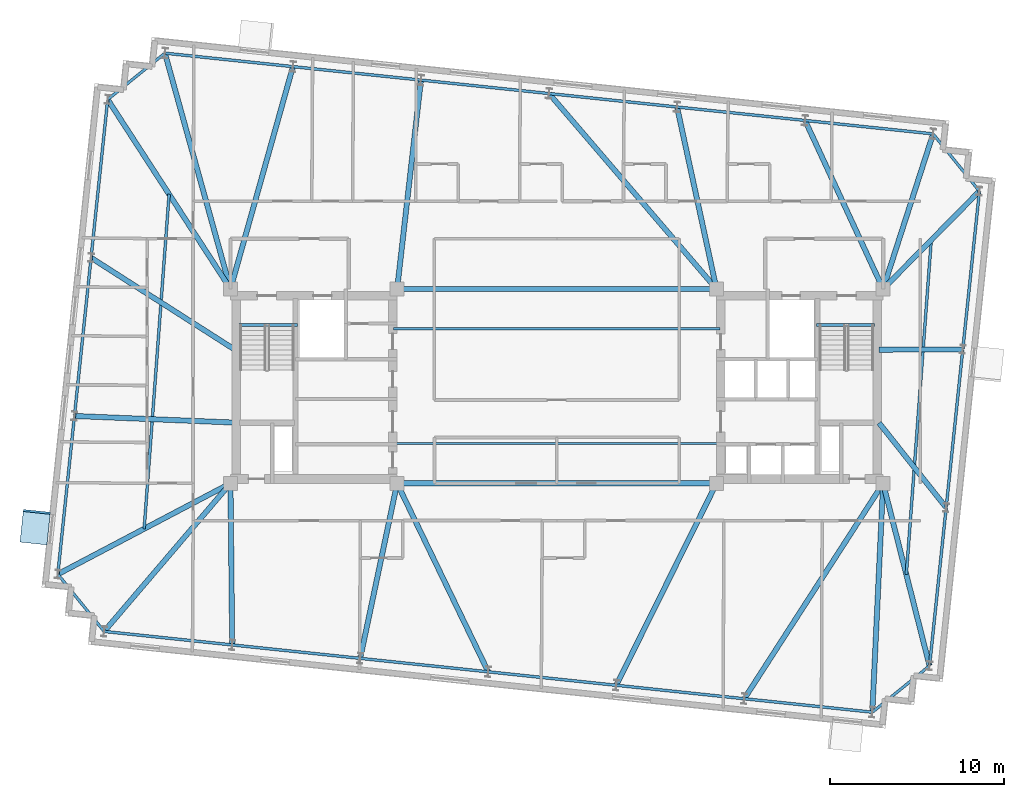
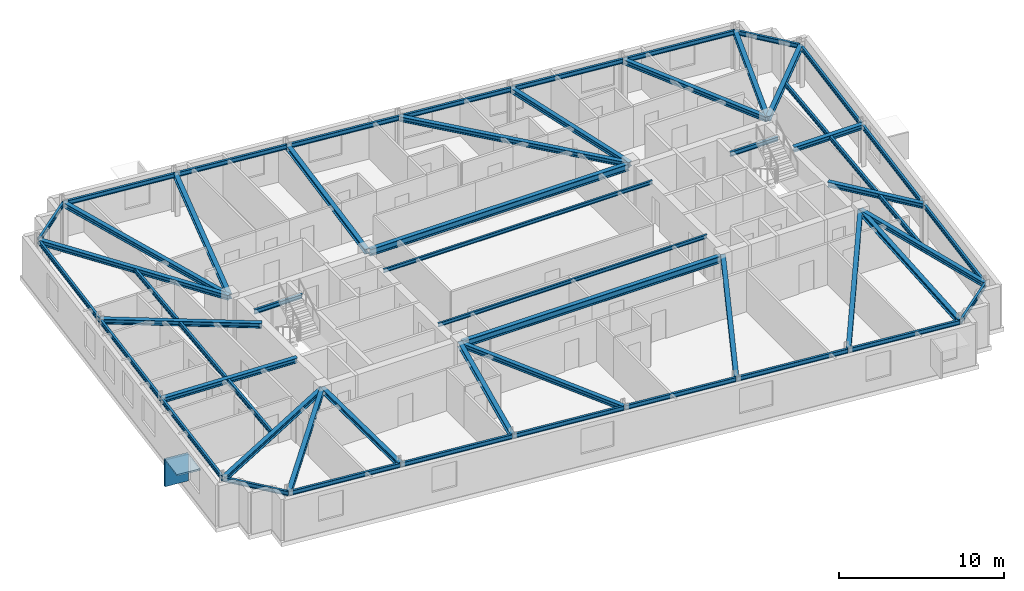
# One storey, part 4 of 12: 52 beams, 2 plates.
"""IFC4 building model written with IfcOpenShell, lengths in metres."""

from ifc_helpers import new_model, si_unit, direction, frame, origin, origin_2d, place, context, subcontext, project, spatial, rectangle, i_section, extrude, material, layer, layer_set, material_profile, profile_set, type_object, element, save


model = new_model("IFC4")

# Units and contexts
model_context = context("Model", 3, precision=1e-05, world=origin(), true_north=direction((0.0, 1.0)))
body_context = subcontext(model_context, "Body", "Model", "MODEL_VIEW")
ifc_project = project(units=[si_unit("LENGTHUNIT", "METRE"), si_unit("AREAUNIT", "SQUARE_METRE"), si_unit("VOLUMEUNIT", "CUBIC_METRE"), si_unit("PLANEANGLEUNIT", "RADIAN"), si_unit("MASSUNIT", "GRAM", prefix="KILO")], contexts=[model_context])

# Site, building, storey
site_placement = place(None, origin())
site = spatial("IfcSite", under=ifc_project, at=site_placement, CompositionType="ELEMENT")
building_placement = place(site_placement, origin())
building = spatial("IfcBuilding", under=site, at=building_placement, Name="Qobustan Lattice House", CompositionType="ELEMENT")
storey_placement = place(building_placement, frame((0.0, 0.0, 189.699951171875)))
storey = spatial("IfcBuildingStorey", under=building, at=storey_placement, Name="L53", CompositionType="ELEMENT", Elevation=189.699951171875)

# Beams
ifc_material_1 = material(Name="Steel S355", Category="steel")
ifc_material_profile_1 = material_profile(ifc_material_1, i_section(OverallWidth=0.300048828125, OverallDepth=0.5, WebThickness=0.014404296875, FlangeThickness=0.028076171875, FilletRadius=0.027099609375, at=origin_2d()), Name="HEB500")
ifc_profile_set_1 = profile_set([ifc_material_profile_1], Name="Steel S355")
beam_type_1 = type_object("IfcBeamType", Name="BM-CG-HEB500", PredefinedType="USERDEFINED", material=ifc_profile_set_1)
for number, where, z_axis, x_axis, name in (
    (1, (-9.050048828125, -5.60009765625, 2.7900390625), (1.0, 0.0, 0.0), (0.0, 1.0, 0.0), "L53 core spine girder CG-CS"),
    (2, (-9.050048828125, 5.60009765625, 2.7900390625), (1.0, 0.0, 0.0), (0.0, 1.0, 0.0), "L53 core spine girder CG-CN"),
):
    element("IfcBeam", number, at=place(storey_placement, frame(where, z_axis=z_axis, x_axis=x_axis)), inside=storey, type_object=beam_type_1, Name=name, ObjectType="GIRDER", PredefinedType="USERDEFINED", context=body_context, shape_type="SweptSolid", body=[
        extrude(i_section(OverallWidth=0.300048828125, OverallDepth=0.5, WebThickness=0.014404296875, FlangeThickness=0.028076171875, FilletRadius=0.027099609375, at=origin_2d()), origin(), (0.0, 0.0, 1.0), 18.10009765625),
    ])
ifc_material_2 = material(Name="Steel S355", Category="steel")
ifc_material_profile_2 = material_profile(ifc_material_2, i_section(OverallWidth=0.300048828125, OverallDepth=0.360107421875, WebThickness=0.012451171875, FlangeThickness=0.0224609375, FilletRadius=0.027099609375, at=origin_2d()), Name="HEB360")
ifc_profile_set_2 = profile_set([ifc_material_profile_2], Name="Steel S355")
beam_type_2 = type_object("IfcBeamType", Name="BM-FLG-HEB360", PredefinedType="USERDEFINED", material=ifc_profile_set_2)
beam_1_placement = place(storey_placement, frame((-26.062744140625, -14.113525390625, 2.860107421875), z_axis=(0.649006911642, 0.760782510736, 0.0), x_axis=(-0.760782510736, 0.649006911642, 0.0)))
element("IfcBeam", 3, at=beam_1_placement, inside=storey, type_object=beam_type_2, Name="L53 primary floor girder RAD-S1W", ObjectType="GIRDER", PredefinedType="USERDEFINED", context=body_context, shape_type="SweptSolid", body=[
    extrude(i_section(OverallWidth=0.300048828125, OverallDepth=0.360107421875, WebThickness=0.012451171875, FlangeThickness=0.0224609375, FilletRadius=0.027099609375, at=origin_2d()), origin(), (0.0, 0.0, 1.0), 11.16552734375),
])
beam_2_placement = place(storey_placement, frame((-18.703125, -14.8828125, 2.860107421875), z_axis=(-0.010442468578, 0.999945475939, 0.0), x_axis=(-0.999945475939, -0.010442468578, 0.0)))
element("IfcBeam", 4, at=beam_2_placement, inside=storey, type_object=beam_type_2, Name="L53 primary floor girder RAD-S2", ObjectType="GIRDER", PredefinedType="USERDEFINED", context=body_context, shape_type="SweptSolid", body=[
    extrude(i_section(OverallWidth=0.300048828125, OverallDepth=0.360107421875, WebThickness=0.012451171875, FlangeThickness=0.0224609375, FilletRadius=0.027099609375, at=origin_2d()), origin(), (0.0, 0.0, 1.0), 9.25830078125),
])
beam_3_placement = place(storey_placement, frame((-11.32177734375, -15.658447265625, 2.860107421875), z_axis=(0.206411213198, 0.978465334627, 0.0), x_axis=(-0.978465334627, 0.206411213198, 0.0)))
element("IfcBeam", 5, at=beam_3_placement, inside=storey, type_object=beam_type_2, Name="L53 primary floor girder RAD-S3", ObjectType="GIRDER", PredefinedType="USERDEFINED", context=body_context, shape_type="SweptSolid", body=[
    extrude(i_section(OverallWidth=0.300048828125, OverallDepth=0.360107421875, WebThickness=0.012451171875, FlangeThickness=0.0224609375, FilletRadius=0.027099609375, at=origin_2d()), origin(), (0.0, 0.0, 1.0), 10.2548828125),
])
beam_4_placement = place(storey_placement, frame((-3.9619140625, -16.435791015625, 2.860107421875), z_axis=(-0.435229353302, 0.900319615483, 0.0), x_axis=(-0.900319615483, -0.435229353302, 0.0)))
element("IfcBeam", 6, at=beam_4_placement, inside=storey, type_object=beam_type_2, Name="L53 primary floor girder RAD-S4", ObjectType="GIRDER", PredefinedType="USERDEFINED", context=body_context, shape_type="SweptSolid", body=[
    extrude(i_section(OverallWidth=0.300048828125, OverallDepth=0.360107421875, WebThickness=0.012451171875, FlangeThickness=0.0224609375, FilletRadius=0.027099609375, at=origin_2d()), origin(), (0.0, 0.0, 1.0), 12.010498046875),
])
beam_5_placement = place(storey_placement, frame((3.436279296875, -17.211181640625, 2.860107421875), z_axis=(0.444630337125, 0.895714163843, 0.0), x_axis=(-0.895714163843, 0.444630337125, 0.0)))
element("IfcBeam", 7, at=beam_5_placement, inside=storey, type_object=beam_type_2, Name="L53 primary floor girder RAD-S5", ObjectType="GIRDER", PredefinedType="USERDEFINED", context=body_context, shape_type="SweptSolid", body=[
    extrude(i_section(OverallWidth=0.300048828125, OverallDepth=0.360107421875, WebThickness=0.012451171875, FlangeThickness=0.0224609375, FilletRadius=0.027099609375, at=origin_2d()), origin(), (0.0, 0.0, 1.0), 12.938232421875),
])
beam_6_placement = place(storey_placement, frame((10.814697265625, -17.98779296875, 2.860107421875), z_axis=(0.541810491961, 0.840500678644, 0.0), x_axis=(-0.840500678644, 0.541810491961, 0.0)))
element("IfcBeam", 8, at=beam_6_placement, inside=storey, type_object=beam_type_2, Name="L53 primary floor girder RAD-S6", ObjectType="GIRDER", PredefinedType="USERDEFINED", context=body_context, shape_type="SweptSolid", body=[
    extrude(i_section(OverallWidth=0.300048828125, OverallDepth=0.360107421875, WebThickness=0.012451171875, FlangeThickness=0.0224609375, FilletRadius=0.027099609375, at=origin_2d()), origin(), (0.0, 0.0, 1.0), 14.71337890625),
])
beam_7_placement = place(storey_placement, frame((18.178466796875, -18.759033203125, 2.860107421875), z_axis=(0.047180517312, 0.998886379318, 0.0), x_axis=(-0.998886379318, 0.047180517312, 0.0)))
element("IfcBeam", 9, at=beam_7_placement, inside=storey, type_object=beam_type_2, Name="L53 primary floor girder RAD-S7E", ObjectType="GIRDER", PredefinedType="USERDEFINED", context=body_context, shape_type="SweptSolid", body=[
    extrude(i_section(OverallWidth=0.300048828125, OverallDepth=0.360107421875, WebThickness=0.012451171875, FlangeThickness=0.0224609375, FilletRadius=0.027099609375, at=origin_2d()), origin(), (0.0, 0.0, 1.0), 13.148681640625),
])
beam_8_placement = place(storey_placement, frame((-22.570556640625, 19.159912109375, 2.860107421875), z_axis=(0.267904661715, -0.963445427739, 0.0), x_axis=(0.963445427739, 0.267904661715, 0.0)))
element("IfcBeam", 10, at=beam_8_placement, inside=storey, type_object=beam_type_2, Name="L53 primary floor girder RAD-N7W", ObjectType="GIRDER", PredefinedType="USERDEFINED", context=body_context, shape_type="SweptSolid", body=[
    extrude(i_section(OverallWidth=0.300048828125, OverallDepth=0.360107421875, WebThickness=0.012451171875, FlangeThickness=0.0224609375, FilletRadius=0.027099609375, at=origin_2d()), origin(), (0.0, 0.0, 1.0), 14.049560546875),
])
beam_9_placement = place(storey_placement, frame((-15.2080078125, 18.384521484375, 2.860107421875), z_axis=(-0.270487929903, -0.962723366174, 0.0), x_axis=(0.962723366174, -0.270487929903, 0.0)))
element("IfcBeam", 11, at=beam_9_placement, inside=storey, type_object=beam_type_2, Name="L53 primary floor girder RAD-N6", ObjectType="GIRDER", PredefinedType="USERDEFINED", context=body_context, shape_type="SweptSolid", body=[
    extrude(i_section(OverallWidth=0.300048828125, OverallDepth=0.360107421875, WebThickness=0.012451171875, FlangeThickness=0.0224609375, FilletRadius=0.027099609375, at=origin_2d()), origin(), (0.0, 0.0, 1.0), 13.254638671875),
])
beam_10_placement = place(storey_placement, frame((-7.827880859375, 17.608642578125, 2.860107421875), z_axis=(-0.11353003651, -0.993534564477, 0.0), x_axis=(0.993534564477, -0.11353003651, 0.0)))
element("IfcBeam", 12, at=beam_10_placement, inside=storey, type_object=beam_type_2, Name="L53 primary floor girder RAD-N5", ObjectType="GIRDER", PredefinedType="USERDEFINED", context=body_context, shape_type="SweptSolid", body=[
    extrude(i_section(OverallWidth=0.300048828125, OverallDepth=0.360107421875, WebThickness=0.012451171875, FlangeThickness=0.0224609375, FilletRadius=0.027099609375, at=origin_2d()), origin(), (0.0, 0.0, 1.0), 12.061767578125),
])
beam_11_placement = place(storey_placement, frame((-0.432861328125, 16.839111328125, 2.860107421875), z_axis=(0.650757358368, -0.759285756833, 0.0), x_axis=(0.759285756833, 0.650757358368, 0.0)))
element("IfcBeam", 13, at=beam_11_placement, inside=storey, type_object=beam_type_2, Name="L53 primary floor girder RAD-N4", ObjectType="GIRDER", PredefinedType="USERDEFINED", context=body_context, shape_type="SweptSolid", body=[
    extrude(i_section(OverallWidth=0.300048828125, OverallDepth=0.360107421875, WebThickness=0.012451171875, FlangeThickness=0.0224609375, FilletRadius=0.027099609375, at=origin_2d()), origin(), (0.0, 0.0, 1.0), 14.77734375),
])
beam_12_placement = place(storey_placement, frame((6.93212890625, 16.05859375, 2.860107421875), z_axis=(0.211908420044, -0.977289527988, 0.0), x_axis=(0.977289527988, 0.211908420044, 0.0)))
element("IfcBeam", 14, at=beam_12_placement, inside=storey, type_object=beam_type_2, Name="L53 primary floor girder RAD-N3", ObjectType="GIRDER", PredefinedType="USERDEFINED", context=body_context, shape_type="SweptSolid", body=[
    extrude(i_section(OverallWidth=0.300048828125, OverallDepth=0.360107421875, WebThickness=0.012451171875, FlangeThickness=0.0224609375, FilletRadius=0.027099609375, at=origin_2d()), origin(), (0.0, 0.0, 1.0), 10.676513671875),
])
beam_13_placement = place(storey_placement, frame((14.3134765625, 15.284912109375, 2.860107421875), z_axis=(0.420345924661, -0.907363931188, 0.0), x_axis=(0.907363931188, 0.420345924661, 0.0)))
element("IfcBeam", 15, at=beam_13_placement, inside=storey, type_object=beam_type_2, Name="L53 primary floor girder RAD-N2", ObjectType="GIRDER", PredefinedType="USERDEFINED", context=body_context, shape_type="SweptSolid", body=[
    extrude(i_section(OverallWidth=0.300048828125, OverallDepth=0.360107421875, WebThickness=0.012451171875, FlangeThickness=0.0224609375, FilletRadius=0.027099609375, at=origin_2d()), origin(), (0.0, 0.0, 1.0), 10.6484375),
])
beam_14_placement = place(storey_placement, frame((21.67138671875, 14.5087890625, 2.860107421875), z_axis=(-0.306773532579, -0.951782538035, 0.0), x_axis=(0.951782538035, -0.306773532579, 0.0)))
element("IfcBeam", 16, at=beam_14_placement, inside=storey, type_object=beam_type_2, Name="L53 primary floor girder RAD-N1E", ObjectType="GIRDER", PredefinedType="USERDEFINED", context=body_context, shape_type="SweptSolid", body=[
    extrude(i_section(OverallWidth=0.300048828125, OverallDepth=0.360107421875, WebThickness=0.012451171875, FlangeThickness=0.0224609375, FilletRadius=0.027099609375, at=origin_2d()), origin(), (0.0, 0.0, 1.0), 9.335205078125),
])
beam_15_placement = place(storey_placement, frame((-25.86083984375, 16.492919921875, 2.860107421875), z_axis=(0.543926170046, -0.839133077371, 0.0), x_axis=(0.839133077371, 0.543926170046, 0.0)))
element("IfcBeam", 17, at=beam_15_placement, inside=storey, type_object=beam_type_2, Name="L53 primary floor girder RAD-W1", ObjectType="GIRDER", PredefinedType="USERDEFINED", context=body_context, shape_type="SweptSolid", body=[
    extrude(i_section(OverallWidth=0.300048828125, OverallDepth=0.360107421875, WebThickness=0.012451171875, FlangeThickness=0.0224609375, FilletRadius=0.027099609375, at=origin_2d()), origin(), (0.0, 0.0, 1.0), 12.9560546875),
])
beam_16_placement = place(storey_placement, frame((-26.8115234375, 7.384033203125, 2.860107421875), z_axis=(0.842429105495, -0.538807203195, 0.0), x_axis=(0.538807203195, 0.842429105495, 0.0)))
element("IfcBeam", 18, at=beam_16_placement, inside=storey, type_object=beam_type_2, Name="L53 primary floor girder RAD-W2", ObjectType="GIRDER", PredefinedType="USERDEFINED", context=body_context, shape_type="SweptSolid", body=[
    extrude(i_section(OverallWidth=0.300048828125, OverallDepth=0.360107421875, WebThickness=0.012451171875, FlangeThickness=0.0224609375, FilletRadius=0.027099609375, at=origin_2d()), origin(), (0.0, 0.0, 1.0), 9.78173828125),
])
beam_17_placement = place(storey_placement, frame((-27.765869140625, -1.719970703125, 2.860107421875), z_axis=(0.999150190925, -0.041217665795, 0.0), x_axis=(0.041217665795, 0.999150190925, 0.0)))
element("IfcBeam", 19, at=beam_17_placement, inside=storey, type_object=beam_type_2, Name="L53 primary floor girder RAD-W3", ObjectType="GIRDER", PredefinedType="USERDEFINED", context=body_context, shape_type="SweptSolid", body=[
    extrude(i_section(OverallWidth=0.300048828125, OverallDepth=0.360107421875, WebThickness=0.012451171875, FlangeThickness=0.0224609375, FilletRadius=0.027099609375, at=origin_2d()), origin(), (0.0, 0.0, 1.0), 9.19873046875),
])
beam_18_placement = place(storey_placement, frame((-28.726806640625, -10.82373046875, 2.860107421875), z_axis=(0.884950868639, 0.465684399669, 0.0), x_axis=(-0.465684399669, 0.884950868639, 0.0)))
element("IfcBeam", 20, at=beam_18_placement, inside=storey, type_object=beam_type_2, Name="L53 primary floor girder RAD-W4", ObjectType="GIRDER", PredefinedType="USERDEFINED", context=body_context, shape_type="SweptSolid", body=[
    extrude(i_section(OverallWidth=0.300048828125, OverallDepth=0.360107421875, WebThickness=0.012451171875, FlangeThickness=0.0224609375, FilletRadius=0.027099609375, at=origin_2d()), origin(), (0.0, 0.0, 1.0), 11.1923828125),
])
beam_19_placement = place(storey_placement, frame((24.331298828125, 11.217529296875, 2.860107421875), z_axis=(-0.701633616284, -0.712537906712, 0.0), x_axis=(0.712537906712, -0.701633616284, 0.0)))
element("IfcBeam", 21, at=beam_19_placement, inside=storey, type_object=beam_type_2, Name="L53 primary floor girder RAD-E4", ObjectType="GIRDER", PredefinedType="USERDEFINED", context=body_context, shape_type="SweptSolid", body=[
    extrude(i_section(OverallWidth=0.300048828125, OverallDepth=0.360107421875, WebThickness=0.012451171875, FlangeThickness=0.0224609375, FilletRadius=0.027099609375, at=origin_2d()), origin(), (0.0, 0.0, 1.0), 7.858642578125),
])
beam_20_placement = place(storey_placement, frame((23.36572265625, 2.118896484375, 2.860107421875), z_axis=(-0.999992301331, -0.003923936564, 0.0), x_axis=(0.003923936564, -0.999992301331, 0.0)))
element("IfcBeam", 22, at=beam_20_placement, inside=storey, type_object=beam_type_2, Name="L53 primary floor girder RAD-E3", ObjectType="GIRDER", PredefinedType="USERDEFINED", context=body_context, shape_type="SweptSolid", body=[
    extrude(i_section(OverallWidth=0.300048828125, OverallDepth=0.360107421875, WebThickness=0.012451171875, FlangeThickness=0.0224609375, FilletRadius=0.027099609375, at=origin_2d()), origin(), (0.0, 0.0, 1.0), 4.790771484375),
])
beam_21_placement = place(storey_placement, frame((22.4169921875, -6.97802734375, 2.860107421875), z_axis=(-0.621231320857, 0.783627236629, 0.0), x_axis=(-0.783627236629, -0.621231320857, 0.0)))
element("IfcBeam", 23, at=beam_21_placement, inside=storey, type_object=beam_type_2, Name="L53 primary floor girder RAD-E2", ObjectType="GIRDER", PredefinedType="USERDEFINED", context=body_context, shape_type="SweptSolid", body=[
    extrude(i_section(OverallWidth=0.300048828125, OverallDepth=0.360107421875, WebThickness=0.012451171875, FlangeThickness=0.0224609375, FilletRadius=0.027099609375, at=origin_2d()), origin(), (0.0, 0.0, 1.0), 6.199951171875),
])
beam_22_placement = place(storey_placement, frame((21.46826171875, -16.08984375, 2.860107421875), z_axis=(-0.246517911643, 0.969138235361, 0.0), x_axis=(-0.969138235361, -0.246517911643, 0.0)))
element("IfcBeam", 24, at=beam_22_placement, inside=storey, type_object=beam_type_2, Name="L53 primary floor girder RAD-E1", ObjectType="GIRDER", PredefinedType="USERDEFINED", context=body_context, shape_type="SweptSolid", body=[
    extrude(i_section(OverallWidth=0.300048828125, OverallDepth=0.360107421875, WebThickness=0.012451171875, FlangeThickness=0.0224609375, FilletRadius=0.027099609375, at=origin_2d()), origin(), (0.0, 0.0, 1.0), 10.798828125),
])
ifc_material_3 = material(Name="Steel S355", Category="steel")
ifc_material_profile_3 = material_profile(ifc_material_3, i_section(OverallWidth=0.135009765625, OverallDepth=0.27001953125, WebThickness=0.006591796875, FlangeThickness=0.01025390625, FilletRadius=0.014892578125, at=origin_2d()), Name="IPE270")
ifc_profile_set_3 = profile_set([ifc_material_profile_3], Name="Steel S355")
beam_type_3 = type_object("IfcBeamType", Name="BM-JST-IPE270", PredefinedType="JOIST", material=ifc_profile_set_3)
for number, where, z_axis, x_axis, name in (
    (25, (-9.39990234375, -3.300048828125, 2.905029296875), (1.0, 0.0, 0.0), (0.0, 1.0, 0.0), "L53 central span floor joist 1"),
    (26, (-9.39990234375, 3.300048828125, 2.905029296875), (1.0, 0.0, 0.0), (0.0, 1.0, 0.0), "L53 central span floor joist 2"),
):
    element("IfcBeam", number, at=place(storey_placement, frame(where, z_axis=z_axis, x_axis=x_axis)), inside=storey, type_object=beam_type_3, Name=name, PredefinedType="JOIST", context=body_context, shape_type="SweptSolid", body=[
        extrude(i_section(OverallWidth=0.135009765625, OverallDepth=0.27001953125, WebThickness=0.006591796875, FlangeThickness=0.01025390625, FilletRadius=0.014892578125, at=origin_2d()), origin(), (0.0, 0.0, 1.0), 18.7998046875),
    ])
ifc_material_4 = material(Name="Steel S355", Category="steel")
ifc_material_profile_4 = material_profile(ifc_material_4, i_section(OverallWidth=0.159912109375, OverallDepth=0.330078125, WebThickness=0.007568359375, FlangeThickness=0.011474609375, FilletRadius=0.01806640625, at=origin_2d()), Name="IPE330")
ifc_profile_set_4 = profile_set([ifc_material_profile_4], Name="Steel S355")
beam_type_4 = type_object("IfcBeamType", Name="BM-SEC-IPE330", PredefinedType="BEAM", material=ifc_profile_set_4)
beam_23_placement = place(storey_placement, frame((-22.337158203125, 11.056884765625, 2.875), z_axis=(-0.074361616657, -0.997231342251, 0.0), x_axis=(0.997231342251, -0.074361616657, 0.0)))
element("IfcBeam", 27, at=beam_23_placement, inside=storey, type_object=beam_type_4, Name="L53 west wing secondary beam", PredefinedType="BEAM", context=body_context, shape_type="SweptSolid", body=[
    extrude(i_section(OverallWidth=0.159912109375, OverallDepth=0.330078125, WebThickness=0.007568359375, FlangeThickness=0.011474609375, FilletRadius=0.01806640625, at=origin_2d()), origin(), (0.0, 0.0, 1.0), 19.327880859375),
])
beam_24_placement = place(storey_placement, frame((21.574462890625, 8.417724609375, 2.875), z_axis=(-0.074360679971, -0.997231412098, 0.0), x_axis=(0.997231412098, -0.074360679971, 0.0)))
element("IfcBeam", 28, at=beam_24_placement, inside=storey, type_object=beam_type_4, Name="L53 east wing secondary beam", PredefinedType="BEAM", context=body_context, shape_type="SweptSolid", body=[
    extrude(i_section(OverallWidth=0.159912109375, OverallDepth=0.330078125, WebThickness=0.007568359375, FlangeThickness=0.011474609375, FilletRadius=0.01806640625, at=origin_2d()), origin(), (0.0, 0.0, 1.0), 19.328125),
])
ifc_material_5 = material(Name="Steel S355", Category="steel")
ifc_material_profile_5 = material_profile(ifc_material_5, i_section(OverallWidth=0.159912109375, OverallDepth=0.330078125, WebThickness=0.007568359375, FlangeThickness=0.011474609375, FilletRadius=0.01806640625, at=origin_2d()), Name="IPE330")
ifc_profile_set_5 = profile_set([ifc_material_profile_5], Name="Steel S355")
beam_type_5 = type_object("IfcBeamType", Name="BM-SPD-IPE330", PredefinedType="SPANDREL", material=ifc_profile_set_5)
for number, where, z_axis, x_axis, name in (
    (29, (-18.300048828125, 3.52001953125, 2.875), (1.0, 0.0, 0.0), (0.0, 1.0, 0.0), "L53 west stair landing trimmer beam"),
    (30, (14.949951171875, 3.52001953125, 2.875), (1.0, 0.0, 0.0), (0.0, 1.0, 0.0), "L53 east stair landing trimmer beam"),
):
    element("IfcBeam", number, at=place(storey_placement, frame(where, z_axis=z_axis, x_axis=x_axis)), inside=storey, type_object=beam_type_5, Name=name, PredefinedType="SPANDREL", context=body_context, shape_type="SweptSolid", body=[
        extrude(i_section(OverallWidth=0.159912109375, OverallDepth=0.330078125, WebThickness=0.007568359375, FlangeThickness=0.011474609375, FilletRadius=0.01806640625, at=origin_2d()), origin(), (0.0, 0.0, 1.0), 3.35009765625),
    ])
beam_25_placement = place(storey_placement, frame((-26.05419921875, -14.135009765625, 2.875), z_axis=(0.99452214685, -0.104526070551, 0.0), x_axis=(0.104526070551, 0.99452214685, 0.0)))
element("IfcBeam", 31, at=beam_25_placement, inside=storey, type_object=beam_type_5, Name="L53 perimeter spandrel S1-S2", PredefinedType="SPANDREL", context=body_context, shape_type="SweptSolid", body=[
    extrude(i_section(OverallWidth=0.159912109375, OverallDepth=0.330078125, WebThickness=0.007568359375, FlangeThickness=0.011474609375, FilletRadius=0.01806640625, at=origin_2d()), origin(), (0.0, 0.0, 1.0), 7.36669921875),
])
for number, where, z_axis, x_axis, name in (
    (32, (-18.677978515625, -14.910400390625, 2.875), (0.994521784746, -0.104529515765, 0.0), (0.104529515765, 0.994521784746, 0.0), "L53 perimeter spandrel S2-S3"),
    (33, (-11.302001953125, -15.685546875, 2.875), (0.994521784746, -0.104529515765, 0.0), (0.104529515765, 0.994521784746, 0.0), "L53 perimeter spandrel S3-S4"),
):
    element("IfcBeam", number, at=place(storey_placement, frame(where, z_axis=z_axis, x_axis=x_axis)), inside=storey, type_object=beam_type_5, Name=name, PredefinedType="SPANDREL", context=body_context, shape_type="SweptSolid", body=[
        extrude(i_section(OverallWidth=0.159912109375, OverallDepth=0.330078125, WebThickness=0.007568359375, FlangeThickness=0.011474609375, FilletRadius=0.01806640625, at=origin_2d()), origin(), (0.0, 0.0, 1.0), 7.366455078125),
    ])
beam_26_placement = place(storey_placement, frame((-3.926025390625, -16.460693359375, 2.875), z_axis=(0.99451870122, -0.10455884909, 0.0), x_axis=(0.10455884909, 0.99451870122, 0.0)))
element("IfcBeam", 34, at=beam_26_placement, inside=storey, type_object=beam_type_5, Name="L53 perimeter spandrel S4-S5", PredefinedType="SPANDREL", context=body_context, shape_type="SweptSolid", body=[
    extrude(i_section(OverallWidth=0.159912109375, OverallDepth=0.330078125, WebThickness=0.007568359375, FlangeThickness=0.011474609375, FilletRadius=0.01806640625, at=origin_2d()), origin(), (0.0, 0.0, 1.0), 7.36669921875),
])
for number, where, z_axis, x_axis, name in (
    (35, (3.4501953125, -17.236083984375, 2.875), (0.994521784746, -0.104529515765, 0.0), (0.104529515765, 0.994521784746, 0.0), "L53 perimeter spandrel S5-S6"),
    (36, (10.826171875, -18.01123046875, 2.875), (0.99451833889, -0.104562295361, 0.0), (0.104562295361, 0.99451833889, 0.0), "L53 perimeter spandrel S6-S7"),
):
    element("IfcBeam", number, at=place(storey_placement, frame(where, z_axis=z_axis, x_axis=x_axis)), inside=storey, type_object=beam_type_5, Name=name, PredefinedType="SPANDREL", context=body_context, shape_type="SweptSolid", body=[
        extrude(i_section(OverallWidth=0.159912109375, OverallDepth=0.330078125, WebThickness=0.007568359375, FlangeThickness=0.011474609375, FilletRadius=0.01806640625, at=origin_2d()), origin(), (0.0, 0.0, 1.0), 7.366455078125),
    ])
beam_27_placement = place(storey_placement, frame((18.19677734375, -18.768310546875, 2.875), z_axis=(0.777128239225, 0.629342275554, 0.0), x_axis=(-0.629342275554, 0.777128239225, 0.0)))
element("IfcBeam", 37, at=beam_27_placement, inside=storey, type_object=beam_type_5, Name="L53 perimeter spandrel S7-E1", PredefinedType="SPANDREL", context=body_context, shape_type="SweptSolid", body=[
    extrude(i_section(OverallWidth=0.159912109375, OverallDepth=0.330078125, WebThickness=0.007568359375, FlangeThickness=0.011474609375, FilletRadius=0.01806640625, at=origin_2d()), origin(), (0.0, 0.0, 1.0), 4.192626953125),
])
for number, where, z_axis, x_axis, name in (
    (38, (21.47705078125, -16.089111328125, 2.875), (0.10452168293, 0.994522607987, 0.0), (-0.994522607987, 0.10452168293, 0.0), "L53 perimeter spandrel E1-E2"),
    (39, (22.435302734375, -6.97265625, 2.875), (0.10452168293, 0.994522607987, 0.0), (-0.994522607987, 0.10452168293, 0.0), "L53 perimeter spandrel E2-E3"),
    (40, (23.393310546875, 2.143798828125, 2.875), (0.10452168293, 0.994522607987, 0.0), (-0.994522607987, 0.10452168293, 0.0), "L53 perimeter spandrel E3-E4"),
):
    element("IfcBeam", number, at=place(storey_placement, frame(where, z_axis=z_axis, x_axis=x_axis)), inside=storey, type_object=beam_type_5, Name=name, PredefinedType="SPANDREL", context=body_context, shape_type="SweptSolid", body=[
        extrude(i_section(OverallWidth=0.159912109375, OverallDepth=0.330078125, WebThickness=0.007568359375, FlangeThickness=0.011474609375, FilletRadius=0.01806640625, at=origin_2d()), origin(), (0.0, 0.0, 1.0), 9.11669921875),
    ])
beam_28_placement = place(storey_placement, frame((24.333251953125, 11.254638671875, 2.875), z_axis=(-0.629313797654, 0.777151300637, 0.0), x_axis=(-0.777151300637, -0.629313797654, 0.0)))
element("IfcBeam", 41, at=beam_28_placement, inside=storey, type_object=beam_type_5, Name="L53 perimeter spandrel E4-N1", PredefinedType="SPANDREL", context=body_context, shape_type="SweptSolid", body=[
    extrude(i_section(OverallWidth=0.159912109375, OverallDepth=0.330078125, WebThickness=0.007568359375, FlangeThickness=0.011474609375, FilletRadius=0.01806640625, at=origin_2d()), origin(), (0.0, 0.0, 1.0), 4.19287109375),
])
for number, where, z_axis, x_axis, name in (
    (42, (21.654052734375, 14.53515625, 2.875), (-0.994521784746, 0.104529515765, 0.0), (-0.104529515765, -0.994521784746, 0.0), "L53 perimeter spandrel N1-N2"),
    (43, (14.278076171875, 15.310302734375, 2.875), (-0.994521784746, 0.104529515765, 0.0), (-0.104529515765, -0.994521784746, 0.0), "L53 perimeter spandrel N2-N3"),
):
    element("IfcBeam", number, at=place(storey_placement, frame(where, z_axis=z_axis, x_axis=x_axis)), inside=storey, type_object=beam_type_5, Name=name, PredefinedType="SPANDREL", context=body_context, shape_type="SweptSolid", body=[
        extrude(i_section(OverallWidth=0.159912109375, OverallDepth=0.330078125, WebThickness=0.007568359375, FlangeThickness=0.011474609375, FilletRadius=0.01806640625, at=origin_2d()), origin(), (0.0, 0.0, 1.0), 7.366455078125),
    ])
beam_29_placement = place(storey_placement, frame((6.902099609375, 16.085693359375, 2.875), z_axis=(-0.99452214685, 0.104526070551, 0.0), x_axis=(-0.104526070551, -0.99452214685, 0.0)))
element("IfcBeam", 44, at=beam_29_placement, inside=storey, type_object=beam_type_5, Name="L53 perimeter spandrel N3-N4", PredefinedType="SPANDREL", context=body_context, shape_type="SweptSolid", body=[
    extrude(i_section(OverallWidth=0.159912109375, OverallDepth=0.330078125, WebThickness=0.007568359375, FlangeThickness=0.011474609375, FilletRadius=0.01806640625, at=origin_2d()), origin(), (0.0, 0.0, 1.0), 7.36669921875),
])
for number, where, z_axis, x_axis, name in (
    (45, (-0.47412109375, 16.86083984375, 2.875), (-0.994521784746, 0.104529515765, 0.0), (-0.104529515765, -0.994521784746, 0.0), "L53 perimeter spandrel N4-N5"),
    (46, (-7.85009765625, 17.635986328125, 2.875), (-0.994521784746, 0.104529515765, 0.0), (-0.104529515765, -0.994521784746, 0.0), "L53 perimeter spandrel N5-N6"),
):
    element("IfcBeam", number, at=place(storey_placement, frame(where, z_axis=z_axis, x_axis=x_axis)), inside=storey, type_object=beam_type_5, Name=name, PredefinedType="SPANDREL", context=body_context, shape_type="SweptSolid", body=[
        extrude(i_section(OverallWidth=0.159912109375, OverallDepth=0.330078125, WebThickness=0.007568359375, FlangeThickness=0.011474609375, FilletRadius=0.01806640625, at=origin_2d()), origin(), (0.0, 0.0, 1.0), 7.366455078125),
    ])
beam_30_placement = place(storey_placement, frame((-15.22607421875, 18.411376953125, 2.875), z_axis=(-0.99452214685, 0.104526070551, 0.0), x_axis=(-0.104526070551, -0.99452214685, 0.0)))
element("IfcBeam", 47, at=beam_30_placement, inside=storey, type_object=beam_type_5, Name="L53 perimeter spandrel N6-N7", PredefinedType="SPANDREL", context=body_context, shape_type="SweptSolid", body=[
    extrude(i_section(OverallWidth=0.159912109375, OverallDepth=0.330078125, WebThickness=0.007568359375, FlangeThickness=0.011474609375, FilletRadius=0.01806640625, at=origin_2d()), origin(), (0.0, 0.0, 1.0), 7.36669921875),
])
beam_31_placement = place(storey_placement, frame((-22.5966796875, 19.168212890625, 2.875), z_axis=(-0.777156718239, -0.629307107299, 0.0), x_axis=(0.629307107299, -0.777156718239, 0.0)))
element("IfcBeam", 48, at=beam_31_placement, inside=storey, type_object=beam_type_5, Name="L53 perimeter spandrel N7-W1", PredefinedType="SPANDREL", context=body_context, shape_type="SweptSolid", body=[
    extrude(i_section(OverallWidth=0.159912109375, OverallDepth=0.330078125, WebThickness=0.007568359375, FlangeThickness=0.011474609375, FilletRadius=0.01806640625, at=origin_2d()), origin(), (0.0, 0.0, 1.0), 4.192626953125),
])
beam_32_placement = place(storey_placement, frame((-25.876953125, 16.489013671875, 2.875), z_axis=(-0.104550954592, -0.994519531178, 0.0), x_axis=(0.994519531178, -0.104550954592, 0.0)))
element("IfcBeam", 49, at=beam_32_placement, inside=storey, type_object=beam_type_5, Name="L53 perimeter spandrel W1-W2", PredefinedType="SPANDREL", context=body_context, shape_type="SweptSolid", body=[
    extrude(i_section(OverallWidth=0.159912109375, OverallDepth=0.330078125, WebThickness=0.007568359375, FlangeThickness=0.011474609375, FilletRadius=0.01806640625, at=origin_2d()), origin(), (0.0, 0.0, 1.0), 9.116455078125),
])
beam_33_placement = place(storey_placement, frame((-26.835205078125, 7.372802734375, 2.875), z_axis=(-0.104518899262, -0.994522900539, 0.0), x_axis=(0.994522900539, -0.104518899262, 0.0)))
element("IfcBeam", 50, at=beam_33_placement, inside=storey, type_object=beam_type_5, Name="L53 perimeter spandrel W2-W3", PredefinedType="SPANDREL", context=body_context, shape_type="SweptSolid", body=[
    extrude(i_section(OverallWidth=0.159912109375, OverallDepth=0.330078125, WebThickness=0.007568359375, FlangeThickness=0.011474609375, FilletRadius=0.01806640625, at=origin_2d()), origin(), (0.0, 0.0, 1.0), 9.116943359375),
])
beam_34_placement = place(storey_placement, frame((-27.79345703125, -1.743896484375, 2.875), z_axis=(-0.104524466745, -0.994522315412, 0.0), x_axis=(0.994522315412, -0.104524466745, 0.0)))
element("IfcBeam", 51, at=beam_34_placement, inside=storey, type_object=beam_type_5, Name="L53 perimeter spandrel W3-W4", PredefinedType="SPANDREL", context=body_context, shape_type="SweptSolid", body=[
    extrude(i_section(OverallWidth=0.159912109375, OverallDepth=0.330078125, WebThickness=0.007568359375, FlangeThickness=0.011474609375, FilletRadius=0.01806640625, at=origin_2d()), origin(), (0.0, 0.0, 1.0), 9.116455078125),
])
beam_35_placement = place(storey_placement, frame((-28.733154296875, -10.854736328125, 2.875), z_axis=(0.629307107299, -0.777156718239, 0.0), x_axis=(0.777156718239, 0.629307107299, 0.0)))
element("IfcBeam", 52, at=beam_35_placement, inside=storey, type_object=beam_type_5, Name="L53 perimeter spandrel W4-S1", PredefinedType="SPANDREL", context=body_context, shape_type="SweptSolid", body=[
    extrude(i_section(OverallWidth=0.159912109375, OverallDepth=0.330078125, WebThickness=0.007568359375, FlangeThickness=0.011474609375, FilletRadius=0.01806640625, at=origin_2d()), origin(), (0.0, 0.0, 1.0), 4.192626953125),
])

# Plates
ifc_material_6 = material(Name="Qobustan limestone GFRC", Category="masonry")
ifc_layer = layer(ifc_material_6, 0.1201171875)
ifc_layer_set = layer_set([ifc_layer], Name="Qobustan limestone GFRC")
plate_type = type_object("IfcPlateType", Name="SHD-HOOD-BROW", PredefinedType="USERDEFINED", material=ifc_layer_set)
plate_1_placement = place(storey_placement, frame((-30.052734375, -8.125244140625, 2.699951171875), z_axis=(0.0, 0.0, 1.0), x_axis=(0.104528463268, 0.994521895368, 0.0)))
element("IfcPlate", 53, at=plate_1_placement, inside=storey, type_object=plate_type, Name="L53 splayed Qobustan stone hood brow", ObjectType="SUNSHADE", PredefinedType="USERDEFINED", context=body_context, shape_type="SweptSolid", body=[
    extrude(rectangle(XDim=1.889892578125, YDim=1.56005859375, at=origin_2d()), origin(), (0.0, 0.0, 1.0), 0.1201171875),
])
plate_2_placement = place(storey_placement, frame((-29.960205078125, -7.2451171875, 0.7900390625), z_axis=(0.0, 0.0, 1.0), x_axis=(0.104528463268, 0.994521895368, 0.0)))
element("IfcPlate", 54, at=plate_2_placement, inside=storey, type_object=plate_type, Name="L53 splayed Qobustan stone hood cheek", ObjectType="SUNSHADE", PredefinedType="USERDEFINED", context=body_context, shape_type="SweptSolid", body=[
    extrude(rectangle(XDim=0.1201171875, YDim=1.56005859375, at=origin_2d()), origin(), (0.0, 0.0, 1.0), 1.969970703125),
])

save(model, "model.ifc")
